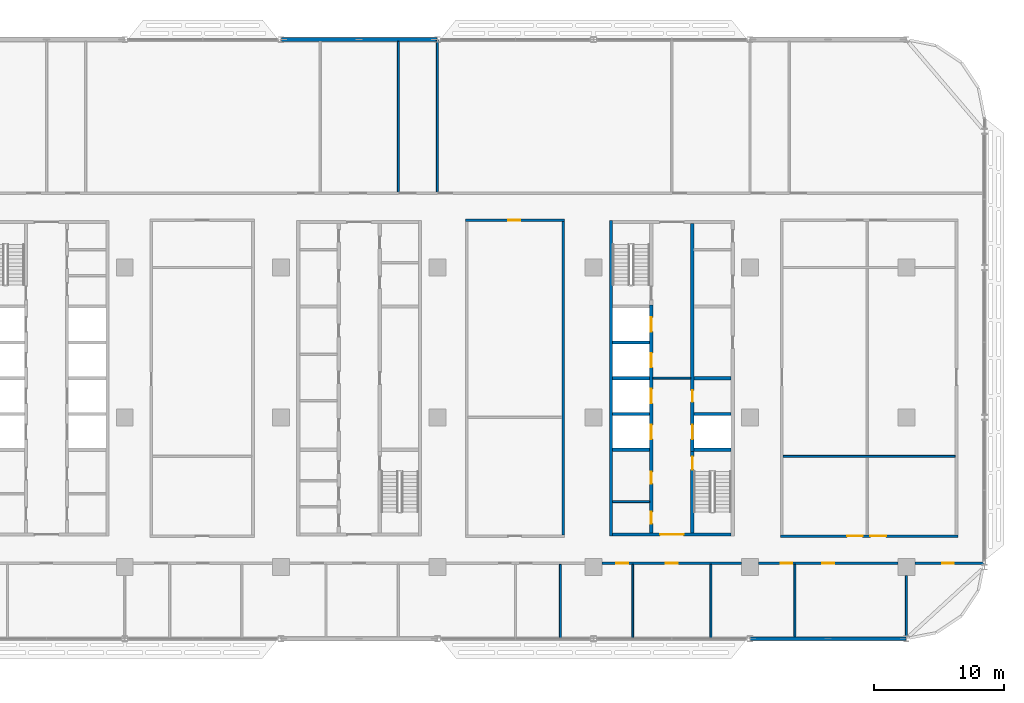
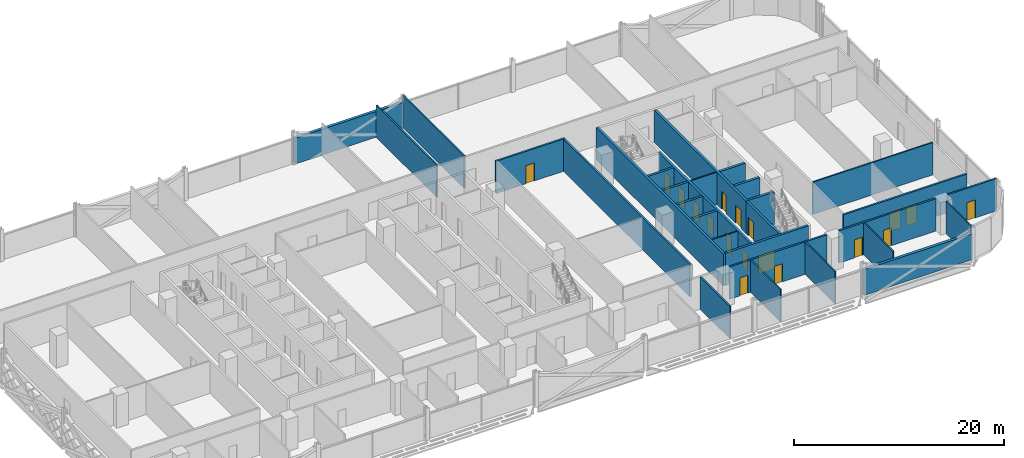
# One storey, part 17 of 29: 30 walls, 18 doors, 18 openings.
"""IFC4 building model written with IfcOpenShell, lengths in metres."""

from ifc_helpers import new_model, si_unit, direction, frame, frame_2d, origin, place, context, subcontext, project, spatial, rectangle, extrude, material, layer, layer_set, type_object, element, fill, save


model = new_model("IFC4")

# Units and contexts
model_context = context("Model", 3, precision=1e-05, world=origin(), true_north=direction((0.0, 1.0)))
body_context = subcontext(model_context, "Body", "Model", "MODEL_VIEW")
ifc_project = project(units=[si_unit("LENGTHUNIT", "METRE"), si_unit("AREAUNIT", "SQUARE_METRE"), si_unit("VOLUMEUNIT", "CUBIC_METRE"), si_unit("PLANEANGLEUNIT", "RADIAN"), si_unit("MASSUNIT", "GRAM", prefix="KILO")], contexts=[model_context])

# Site, building, storey
site_placement = place(None, origin())
site = spatial("IfcSite", under=ifc_project, at=site_placement, CompositionType="ELEMENT")
building_placement = place(site_placement, origin())
building = spatial("IfcBuilding", under=site, at=building_placement, Name="Mahtab Terrace Research Tower", CompositionType="ELEMENT")
storey_placement = place(building_placement, frame((0.0, 0.0, 146.60009765625)))
storey = spatial("IfcBuildingStorey", under=building, at=storey_placement, Name="L34", CompositionType="ELEMENT", Elevation=146.60009765625)

# Walls
ifc_material_1 = material(Name="Gypsum board partition")
ifc_layer_1 = layer(ifc_material_1, 0.14990234375)
ifc_layer_set_1 = layer_set([ifc_layer_1], Name="Core partition 150")
wall_type_1 = type_object("IfcWallType", Name="Core partition 150", PredefinedType="PARTITIONING", material=ifc_layer_set_1)
wall_1_placement = place(storey_placement, frame((22.550048828125, 3.0, 0.0), z_axis=(0.0, 0.0, 1.0), x_axis=(1.0, 0.0, 0.0)))
element("IfcWall", 1, at=wall_1_placement, inside=storey, type_object=wall_type_1, Name="Core wall C ffl", PredefinedType="PARTITIONING", context=body_context, shape_type="SweptSolid", body=[
    extrude(rectangle(XDim=2.89990234375, YDim=0.14990234375, at=frame_2d((1.449951171875, 0.0))), origin(), (0.0, 0.0, 1.0), 3.760009765625),
])
wall_2_placement = place(storey_placement, frame((19.449951171875, -6.47509765625, 0.0), z_axis=(0.0, 0.0, 1.0), x_axis=(1.0, 0.0, 0.0)))
element("IfcWall", 2, at=wall_2_placement, inside=storey, type_object=wall_type_1, Name="Core wall C pWS-948", PredefinedType="PARTITIONING", context=body_context, shape_type="SweptSolid", body=[
    extrude(rectangle(XDim=2.85009765625, YDim=0.14990234375, at=frame_2d((1.425048828125, 0.0))), origin(), (0.0, 0.0, 1.0), 3.760009765625),
])
ifc_material_2 = material(Name="Concrete C70/85", Category="concrete")
ifc_layer_2 = layer(ifc_material_2, 0.25)
ifc_layer_set_2 = layer_set([ifc_layer_2], Name="Core wall 250")
wall_type_2 = type_object("IfcWallType", Name="Core wall 250", PredefinedType="SOLIDWALL", material=ifc_layer_set_2)
wall_3_placement = place(storey_placement, frame((19.324951171875, 15.125, 0.0), z_axis=(0.0, 0.0, 1.0), x_axis=(0.0, -1.0, 0.0)))
element("IfcWall", 3, at=wall_3_placement, inside=storey, type_object=wall_type_2, Name="Core wall C outerW", PredefinedType="SOLIDWALL", context=body_context, shape_type="SweptSolid", body=[
    extrude(rectangle(XDim=24.25, YDim=0.25, at=frame_2d((12.125, 0.0))), origin(), (0.0, 0.0, 1.0), 3.760009765625),
])

# Wall, opening, door
wall_4_placement = place(storey_placement, frame((28.550048828125, -9.0, 0.0), z_axis=(0.0, 0.0, 1.0), x_axis=(-1.0, 0.0, 0.0)))
wall_4 = element("IfcWall", 4, at=wall_4_placement, inside=storey, type_object=wall_type_2, Name="Core wall C endS", PredefinedType="SOLIDWALL", context=body_context, shape_type="SweptSolid", body=[
    extrude(rectangle(XDim=9.10009765625, YDim=0.25, at=frame_2d((4.550048828125, 0.0))), origin(), (0.0, 0.0, 1.0), 3.760009765625),
])
opening_1_placement = place(wall_4_placement, frame((3.64990234375, 0.0, 0.0)))
opening_1 = element("IfcOpeningElement", 5, at=opening_1_placement, cuts=wall_4, Name="Opening C-S1", PredefinedType="OPENING", context=body_context, shape_type="SweptSolid", body=[
    extrude(rectangle(XDim=1.800048828125, YDim=2.10009765625, at=frame_2d((0.89990234375, 1.050048828125))), frame((0.0, 0.135009765625, 0.0), z_axis=(0.0, -1.0, 0.0), x_axis=(1.0, 0.0, 0.0)), (0.0, 0.0, 1.0), 0.27001953125),
])
ifc_material_3 = material(Name="Steel fire door", Category="steel")
door_type_1 = type_object("IfcDoorType", Name="Lobby double door 1800x2100 1 HR", OperationType="DOUBLE_DOOR_SINGLE_SWING", PredefinedType="DOOR", material=ifc_material_3)
door_1_placement = place(opening_1_placement, origin())
door_1 = element("IfcDoor", 6, at=door_1_placement, inside=storey, type_object=door_type_1, Name="Core entrance door C S", OperationType="DOUBLE_DOOR_SINGLE_SWING", OverallHeight=2.10009765625, OverallWidth=1.800048828125, PredefinedType="DOOR", context=body_context, shape_type="SweptSolid", body=[
    extrude(rectangle(XDim=1.800048828125, YDim=2.10009765625, at=frame_2d((0.89990234375, 1.050048828125))), frame((0.0, 0.02490234375, 0.0), z_axis=(0.0, -1.0, 0.0), x_axis=(1.0, 0.0, 0.0)), (0.0, 0.0, 1.0), 0.050048828125),
])
fill(opening_1, door_1)

# Wall, openings, doors
wall_5_placement = place(storey_placement, frame((22.425048828125, -8.875, 0.0), z_axis=(0.0, 0.0, 1.0), x_axis=(0.0, 1.0, 0.0)))
wall_5 = element("IfcWall", 7, at=wall_5_placement, inside=storey, type_object=wall_type_2, Name="Core wall C innerWSL", PredefinedType="SOLIDWALL", context=body_context, shape_type="SweptSolid", body=[
    extrude(rectangle(XDim=17.5, YDim=0.25, at=frame_2d((8.75, 0.0))), origin(), (0.0, 0.0, 1.0), 3.760009765625),
])
opening_2_placement = place(wall_5_placement, frame((7.199951171875, 0.0, 0.0)))
opening_2 = element("IfcOpeningElement", 8, at=opening_2_placement, cuts=wall_5, Name="Opening LD17-L34", PredefinedType="OPENING", context=body_context, shape_type="SweptSolid", body=[
    extrude(rectangle(XDim=1.10009765625, YDim=2.10009765625, at=frame_2d((0.550048828125, 1.050048828125))), frame((0.0, 0.135009765625, 0.0), z_axis=(0.0, -1.0, 0.0), x_axis=(1.0, 0.0, 0.0)), (0.0, 0.0, 1.0), 0.27001953125),
])
opening_3_placement = place(wall_5_placement, frame((9.949951171875, 0.0, 0.0)))
opening_3 = element("IfcOpeningElement", 9, at=opening_3_placement, cuts=wall_5, Name="Opening LD18-L34", PredefinedType="OPENING", context=body_context, shape_type="SweptSolid", body=[
    extrude(rectangle(XDim=1.10009765625, YDim=2.10009765625, at=frame_2d((0.550048828125, 1.050048828125))), frame((0.0, 0.135009765625, 0.0), z_axis=(0.0, -1.0, 0.0), x_axis=(1.0, 0.0, 0.0)), (0.0, 0.0, 1.0), 0.27001953125),
])
opening_4_placement = place(wall_5_placement, frame((12.699951171875, 0.0, 0.0)))
opening_4 = element("IfcOpeningElement", 10, at=opening_4_placement, cuts=wall_5, Name="Opening LD19-L34", PredefinedType="OPENING", context=body_context, shape_type="SweptSolid", body=[
    extrude(rectangle(XDim=1.10009765625, YDim=2.10009765625, at=frame_2d((0.550048828125, 1.050048828125))), frame((0.0, 0.135009765625, 0.0), z_axis=(0.0, -1.0, 0.0), x_axis=(1.0, 0.0, 0.0)), (0.0, 0.0, 1.0), 0.27001953125),
])
opening_5_placement = place(wall_5_placement, frame((15.449951171875, 0.0, 0.0)))
opening_5 = element("IfcOpeningElement", 11, at=opening_5_placement, cuts=wall_5, Name="Opening LD20-L34", PredefinedType="OPENING", context=body_context, shape_type="SweptSolid", body=[
    extrude(rectangle(XDim=1.10009765625, YDim=2.10009765625, at=frame_2d((0.550048828125, 1.050048828125))), frame((0.0, 0.135009765625, 0.0), z_axis=(0.0, -1.0, 0.0), x_axis=(1.0, 0.0, 0.0)), (0.0, 0.0, 1.0), 0.27001953125),
])
opening_6_placement = place(wall_5_placement, frame((0.71240234375, 0.0, 0.0)))
opening_6 = element("IfcOpeningElement", 12, at=opening_6_placement, cuts=wall_5, Name="Opening C-R3", PredefinedType="OPENING", context=body_context, shape_type="SweptSolid", body=[
    extrude(rectangle(XDim=0.89990234375, YDim=2.10009765625, at=frame_2d((0.449951171875, 1.050048828125))), frame((0.0, 0.135009765625, 0.0), z_axis=(0.0, -1.0, 0.0), x_axis=(1.0, 0.0, 0.0)), (0.0, 0.0, 1.0), 0.27001953125),
])
opening_7_placement = place(wall_5_placement, frame((3.78759765625, 0.0, 0.0)))
opening_7 = element("IfcOpeningElement", 13, at=opening_7_placement, cuts=wall_5, Name="Opening C-R4", PredefinedType="OPENING", context=body_context, shape_type="SweptSolid", body=[
    extrude(rectangle(XDim=0.89990234375, YDim=2.10009765625, at=frame_2d((0.449951171875, 1.050048828125))), frame((0.0, 0.135009765625, 0.0), z_axis=(0.0, -1.0, 0.0), x_axis=(1.0, 0.0, 0.0)), (0.0, 0.0, 1.0), 0.27001953125),
])
ifc_material_4 = material(Name="Stainless steel AISI 304", Category="steel")
door_type_2 = type_object("IfcDoorType", Name="Landing door 1100x2100", OperationType="DOUBLE_DOOR_SLIDING", PredefinedType="DOOR", material=ifc_material_4)
door_2_placement = place(opening_2_placement, origin())
door_2 = element("IfcDoor", 14, at=door_2_placement, inside=storey, type_object=door_type_2, Name="Landing door SV1 L34", OperationType="DOUBLE_DOOR_SLIDING", OverallHeight=2.10009765625, OverallWidth=1.10009765625, PredefinedType="DOOR", context=body_context, shape_type="SweptSolid", body=[
    extrude(rectangle(XDim=1.10009765625, YDim=2.10009765625, at=frame_2d((0.550048828125, 1.050048828125))), frame((0.0, 0.02490234375, 0.0), z_axis=(0.0, -1.0, 0.0), x_axis=(1.0, 0.0, 0.0)), (0.0, 0.0, 1.0), 0.050048828125),
])
fill(opening_2, door_2)
door_3_placement = place(opening_3_placement, origin())
door_3 = element("IfcDoor", 15, at=door_3_placement, inside=storey, type_object=door_type_2, Name="Landing door SV2 L34", OperationType="DOUBLE_DOOR_SLIDING", OverallHeight=2.10009765625, OverallWidth=1.10009765625, PredefinedType="DOOR", context=body_context, shape_type="SweptSolid", body=[
    extrude(rectangle(XDim=1.10009765625, YDim=2.10009765625, at=frame_2d((0.550048828125, 1.050048828125))), frame((0.0, 0.02490234375, 0.0), z_axis=(0.0, -1.0, 0.0), x_axis=(1.0, 0.0, 0.0)), (0.0, 0.0, 1.0), 0.050048828125),
])
fill(opening_3, door_3)
door_4_placement = place(opening_4_placement, origin())
door_4 = element("IfcDoor", 16, at=door_4_placement, inside=storey, type_object=door_type_2, Name="Landing door FF1 L34", OperationType="DOUBLE_DOOR_SLIDING", OverallHeight=2.10009765625, OverallWidth=1.10009765625, PredefinedType="DOOR", context=body_context, shape_type="SweptSolid", body=[
    extrude(rectangle(XDim=1.10009765625, YDim=2.10009765625, at=frame_2d((0.550048828125, 1.050048828125))), frame((0.0, 0.02490234375, 0.0), z_axis=(0.0, -1.0, 0.0), x_axis=(1.0, 0.0, 0.0)), (0.0, 0.0, 1.0), 0.050048828125),
])
fill(opening_4, door_4)
door_5_placement = place(opening_5_placement, origin())
door_5 = element("IfcDoor", 17, at=door_5_placement, inside=storey, type_object=door_type_2, Name="Landing door FF2 L34", OperationType="DOUBLE_DOOR_SLIDING", OverallHeight=2.10009765625, OverallWidth=1.10009765625, PredefinedType="DOOR", context=body_context, shape_type="SweptSolid", body=[
    extrude(rectangle(XDim=1.10009765625, YDim=2.10009765625, at=frame_2d((0.550048828125, 1.050048828125))), frame((0.0, 0.02490234375, 0.0), z_axis=(0.0, -1.0, 0.0), x_axis=(1.0, 0.0, 0.0)), (0.0, 0.0, 1.0), 0.050048828125),
])
fill(opening_5, door_5)
door_type_3 = type_object("IfcDoorType", Name="Room door 900x2100 1 HR", OperationType="NOTDEFINED", PredefinedType="DOOR", material=ifc_material_3)
door_6_placement = place(opening_6_placement, origin())
door_6 = element("IfcDoor", 18, at=door_6_placement, inside=storey, type_object=door_type_3, Name="Accessible WC door", OperationType="SINGLE_SWING_LEFT", OverallHeight=2.10009765625, OverallWidth=0.89990234375, PredefinedType="DOOR", context=body_context, shape_type="SweptSolid", body=[
    extrude(rectangle(XDim=0.89990234375, YDim=2.10009765625, at=frame_2d((0.449951171875, 1.050048828125))), frame((0.0, 0.02490234375, 0.0), z_axis=(0.0, -1.0, 0.0), x_axis=(1.0, 0.0, 0.0)), (0.0, 0.0, 1.0), 0.050048828125),
])
fill(opening_6, door_6)
door_7_placement = place(opening_7_placement, origin())
door_7 = element("IfcDoor", 19, at=door_7_placement, inside=storey, type_object=door_type_3, Name="WC block door", OperationType="SINGLE_SWING_RIGHT", OverallHeight=2.10009765625, OverallWidth=0.89990234375, PredefinedType="DOOR", context=body_context, shape_type="SweptSolid", body=[
    extrude(rectangle(XDim=0.89990234375, YDim=2.10009765625, at=frame_2d((0.449951171875, 1.050048828125))), frame((0.0, 0.02490234375, 0.0), z_axis=(0.0, -1.0, 0.0), x_axis=(1.0, 0.0, 0.0)), (0.0, 0.0, 1.0), 0.050048828125),
])
fill(opening_7, door_7)

# Wall, opening, door
wall_6_placement = place(storey_placement, frame((25.574951171875, -8.875, 0.0), z_axis=(0.0, 0.0, 1.0), x_axis=(0.0, 1.0, 0.0)))
wall_6 = element("IfcWall", 20, at=wall_6_placement, inside=storey, type_object=wall_type_2, Name="Core wall C innerES", PredefinedType="SOLIDWALL", context=body_context, shape_type="SweptSolid", body=[
    extrude(rectangle(XDim=6.25, YDim=0.25, at=frame_2d((3.125, 0.0))), origin(), (0.0, 0.0, 1.0), 3.760009765625),
])
opening_8_placement = place(wall_6_placement, frame((4.85009765625, 0.0, 0.0)))
opening_8 = element("IfcOpeningElement", 21, at=opening_8_placement, cuts=wall_6, Name="Opening C-ST4", PredefinedType="OPENING", context=body_context, shape_type="SweptSolid", body=[
    extrude(rectangle(XDim=1.0, YDim=2.10009765625, at=frame_2d((0.5, 1.050048828125))), frame((0.0, 0.135009765625, 0.0), z_axis=(0.0, -1.0, 0.0), x_axis=(1.0, 0.0, 0.0)), (0.0, 0.0, 1.0), 0.27001953125),
])
door_type_4 = type_object("IfcDoorType", Name="Stair door 1000x2100 1.5 HR", OperationType="NOTDEFINED", PredefinedType="DOOR", material=ifc_material_3)
door_8_placement = place(opening_8_placement, origin())
door_8 = element("IfcDoor", 22, at=door_8_placement, inside=storey, type_object=door_type_4, Name="Stair door ST4 L34", OperationType="SINGLE_SWING_RIGHT", OverallHeight=2.10009765625, OverallWidth=1.0, PredefinedType="DOOR", context=body_context, shape_type="SweptSolid", body=[
    extrude(rectangle(XDim=1.0, YDim=2.10009765625, at=frame_2d((0.5, 1.050048828125))), frame((0.0, 0.02490234375, 0.0), z_axis=(0.0, -1.0, 0.0), x_axis=(1.0, 0.0, 0.0)), (0.0, 0.0, 1.0), 0.050048828125),
])
fill(opening_8, door_8)

# Wall, openings, doors
wall_7_placement = place(storey_placement, frame((25.574951171875, 14.875, 0.0), z_axis=(0.0, 0.0, 1.0), x_axis=(0.0, -1.0, 0.0)))
wall_7 = element("IfcWall", 23, at=wall_7_placement, inside=storey, type_object=wall_type_2, Name="Core wall C innerELN", PredefinedType="SOLIDWALL", context=body_context, shape_type="SweptSolid", body=[
    extrude(rectangle(XDim=17.5, YDim=0.25, at=frame_2d((8.75, 0.0))), origin(), (0.0, 0.0, 1.0), 3.760009765625),
])
opening_9_placement = place(wall_7_placement, frame((15.449951171875, 0.0, 0.0)))
opening_9 = element("IfcOpeningElement", 24, at=opening_9_placement, cuts=wall_7, Name="Opening LD21-L34", PredefinedType="OPENING", context=body_context, shape_type="SweptSolid", body=[
    extrude(rectangle(XDim=1.10009765625, YDim=2.10009765625, at=frame_2d((0.550048828125, 1.050048828125))), frame((0.0, 0.135009765625, 0.0), z_axis=(0.0, -1.0, 0.0), x_axis=(1.0, 0.0, 0.0)), (0.0, 0.0, 1.0), 0.27001953125),
])
opening_10_placement = place(wall_7_placement, frame((12.800048828125, 0.0, 0.0)))
opening_10 = element("IfcOpeningElement", 25, at=opening_10_placement, cuts=wall_7, Name="Opening C-R1", PredefinedType="OPENING", context=body_context, shape_type="SweptSolid", body=[
    extrude(rectangle(XDim=0.89990234375, YDim=2.10009765625, at=frame_2d((0.449951171875, 1.050048828125))), frame((0.0, 0.135009765625, 0.0), z_axis=(0.0, -1.0, 0.0), x_axis=(1.0, 0.0, 0.0)), (0.0, 0.0, 1.0), 0.27001953125),
])
door_9_placement = place(opening_9_placement, origin())
door_9 = element("IfcDoor", 26, at=door_9_placement, inside=storey, type_object=door_type_2, Name="Landing door SV3 L34", OperationType="DOUBLE_DOOR_SLIDING", OverallHeight=2.10009765625, OverallWidth=1.10009765625, PredefinedType="DOOR", context=body_context, shape_type="SweptSolid", body=[
    extrude(rectangle(XDim=1.10009765625, YDim=2.10009765625, at=frame_2d((0.550048828125, 1.050048828125))), frame((0.0, 0.02490234375, 0.0), z_axis=(0.0, -1.0, 0.0), x_axis=(1.0, 0.0, 0.0)), (0.0, 0.0, 1.0), 0.050048828125),
])
fill(opening_9, door_9)
door_10_placement = place(opening_10_placement, origin())
door_10 = element("IfcDoor", 27, at=door_10_placement, inside=storey, type_object=door_type_3, Name="Plant room door", OperationType="SINGLE_SWING_LEFT", OverallHeight=2.10009765625, OverallWidth=0.89990234375, PredefinedType="DOOR", context=body_context, shape_type="SweptSolid", body=[
    extrude(rectangle(XDim=0.89990234375, YDim=2.10009765625, at=frame_2d((0.449951171875, 1.050048828125))), frame((0.0, 0.02490234375, 0.0), z_axis=(0.0, -1.0, 0.0), x_axis=(1.0, 0.0, 0.0)), (0.0, 0.0, 1.0), 0.050048828125),
])
fill(opening_10, door_10)

# Walls
for number, where, z_axis, x_axis, name in (
    (28, (19.449951171875, -2.5, 0.0), (0.0, 0.0, 1.0), (1.0, 0.0, 0.0), "Core wall C divW0"),
    (29, (19.449951171875, 0.25, 0.0), (0.0, 0.0, 1.0), (1.0, 0.0, 0.0), "Core wall C divW1"),
    (30, (19.449951171875, 3.0, 0.0), (0.0, 0.0, 1.0), (1.0, 0.0, 0.0), "Core wall C divW2"),
    (31, (19.449951171875, 5.75, 0.0), (0.0, 0.0, 1.0), (1.0, 0.0, 0.0), "Core wall C divW3"),
    (32, (25.699951171875, -2.5, 0.0), (0.0, 0.0, 1.0), (1.0, 0.0, 0.0), "Core wall C divE0"),
    (33, (25.699951171875, 0.25, 0.0), (0.0, 0.0, 1.0), (1.0, 0.0, 0.0), "Core wall C divE1"),
    (34, (25.699951171875, 3.0, 0.0), (0.0, 0.0, 1.0), (1.0, 0.0, 0.0), "Core wall C divE2"),
):
    element("IfcWall", number, at=place(storey_placement, frame(where, z_axis=z_axis, x_axis=x_axis)), inside=storey, type_object=wall_type_2, Name=name, PredefinedType="SOLIDWALL", context=body_context, shape_type="SweptSolid", body=[
        extrude(rectangle(XDim=2.85009765625, YDim=0.25, at=frame_2d((1.425048828125, 0.0))), origin(), (0.0, 0.0, 1.0), 3.760009765625),
    ])
ifc_material_5 = material(Name="Black aluminium cladding panel", Category="aluminium")
ifc_layer_3 = layer(ifc_material_5, 0.300048828125)
ifc_layer_set_3 = layer_set([ifc_layer_3], Name="Opaque facade wall 300")
wall_type_3 = type_object("IfcWallType", Name="Opaque facade wall 300", PredefinedType="NOTDEFINED", material=ifc_layer_set_3)
for number, where, z_axis, x_axis, name in (
    (35, (5.982177734375, 29.0, 0.0), (0.0, 0.0, 1.0), (-1.0, 0.0, 0.0), "Opaque facade wall L34 N6"),
    (36, (30.017822265625, -17.0, 0.0), (0.0, 0.0, 1.0), (1.0, 0.0, 0.0), "Opaque facade wall L34 S30"),
):
    element("IfcWall", number, at=place(storey_placement, frame(where, z_axis=z_axis, x_axis=x_axis)), inside=storey, type_object=wall_type_3, Name=name, PredefinedType="NOTDEFINED", context=body_context, shape_type="SweptSolid", body=[
        extrude(rectangle(XDim=11.96435546875, YDim=0.300048828125, at=frame_2d((5.982177734375, 0.0))), origin(), (0.0, 0.0, 1.0), 3.0029296875),
    ])

# Wall, openings, doors
ifc_material_6 = material(Name="Gypsum board corridor wall on steel studs", Category="steel")
ifc_layer_4 = layer(ifc_material_6, 0.199951171875)
ifc_layer_set_4 = layer_set([ifc_layer_4], Name="WALL CORRIDOR 200")
wall_type_4 = type_object("IfcWallType", Name="WALL CORRIDOR 200", PredefinedType="PARTITIONING", material=ifc_layer_set_4)
wall_8_placement = place(storey_placement, frame((18.64990234375, -11.199951171875, 0.0), z_axis=(0.0, 0.0, 1.0), x_axis=(1.0, 0.0, 0.0)))
wall_8 = element("IfcWall", 37, at=wall_8_placement, inside=storey, type_object=wall_type_4, Name="L34-W007", PredefinedType="PARTITIONING", context=body_context, shape_type="SweptSolid", body=[
    extrude(rectangle(XDim=10.7001953125, YDim=0.199951171875, at=frame_2d((5.35009765625, 0.0))), origin(), (0.0, 0.0, 1.0), 3.760009765625),
])
opening_11_placement = place(wall_8_placement, frame((1.10009765625, 0.0, 0.0)))
opening_11 = element("IfcOpeningElement", 38, at=opening_11_placement, cuts=wall_8, Name="Opening L34-111", PredefinedType="OPENING", context=body_context, shape_type="SweptSolid", body=[
    extrude(rectangle(XDim=0.89990234375, YDim=2.10009765625, at=frame_2d((0.449951171875, 1.050048828125))), frame((0.0, 0.10986328125, 0.0), z_axis=(0.0, -1.0, 0.0), x_axis=(1.0, 0.0, 0.0)), (0.0, 0.0, 1.0), 0.219970703125),
])
opening_12_placement = place(wall_8_placement, frame((4.89990234375, 0.0, 0.0)))
opening_12 = element("IfcOpeningElement", 39, at=opening_12_placement, cuts=wall_8, Name="Opening L34-112", PredefinedType="OPENING", context=body_context, shape_type="SweptSolid", body=[
    extrude(rectangle(XDim=0.89990234375, YDim=2.10009765625, at=frame_2d((0.449951171875, 1.050048828125))), frame((0.0, 0.10986328125, 0.0), z_axis=(0.0, -1.0, 0.0), x_axis=(1.0, 0.0, 0.0)), (0.0, 0.0, 1.0), 0.219970703125),
])
ifc_material_7 = material(Name="Timber door leaf in steel frame", Category="steel")
door_type_5 = type_object("IfcDoorType", Name="DOOR 0900X2100 FD30S", OperationType="SINGLE_SWING_LEFT", PredefinedType="DOOR", material=ifc_material_7)
door_11_placement = place(opening_11_placement, origin())
door_11 = element("IfcDoor", 40, at=door_11_placement, inside=storey, type_object=door_type_5, Name="Door L34-111", OperationType="SINGLE_SWING_RIGHT", OverallHeight=2.10009765625, OverallWidth=0.89990234375, PredefinedType="DOOR", context=body_context, shape_type="SweptSolid", body=[
    extrude(rectangle(XDim=0.89990234375, YDim=2.10009765625, at=frame_2d((0.449951171875, 1.050048828125))), frame((0.0, 0.02490234375, 0.0), z_axis=(0.0, -1.0, 0.0), x_axis=(1.0, 0.0, 0.0)), (0.0, 0.0, 1.0), 0.050048828125),
])
fill(opening_11, door_11)
door_12_placement = place(opening_12_placement, origin())
door_12 = element("IfcDoor", 41, at=door_12_placement, inside=storey, type_object=door_type_5, Name="Door L34-112", OperationType="SINGLE_SWING_RIGHT", OverallHeight=2.10009765625, OverallWidth=0.89990234375, PredefinedType="DOOR", context=body_context, shape_type="SweptSolid", body=[
    extrude(rectangle(XDim=0.89990234375, YDim=2.10009765625, at=frame_2d((0.449951171875, 1.050048828125))), frame((0.0, 0.02490234375, 0.0), z_axis=(0.0, -1.0, 0.0), x_axis=(1.0, 0.0, 0.0)), (0.0, 0.0, 1.0), 0.050048828125),
])
fill(opening_12, door_12)

wall_9_placement = place(storey_placement, frame((30.64990234375, -11.199951171875, 0.0), z_axis=(0.0, 0.0, 1.0), x_axis=(1.0, 0.0, 0.0)))
wall_9 = element("IfcWall", 42, at=wall_9_placement, inside=storey, type_object=wall_type_4, Name="L34-W008", PredefinedType="PARTITIONING", context=body_context, shape_type="SweptSolid", body=[
    extrude(rectangle(XDim=10.7001953125, YDim=0.199951171875, at=frame_2d((5.35009765625, 0.0))), origin(), (0.0, 0.0, 1.0), 3.760009765625),
])
opening_13_placement = place(wall_9_placement, frame((1.699951171875, 0.0, 0.0)))
opening_13 = element("IfcOpeningElement", 43, at=opening_13_placement, cuts=wall_9, Name="Opening L34-113", PredefinedType="OPENING", context=body_context, shape_type="SweptSolid", body=[
    extrude(rectangle(XDim=0.89990234375, YDim=2.10009765625, at=frame_2d((0.449951171875, 1.050048828125))), frame((0.0, 0.10986328125, 0.0), z_axis=(0.0, -1.0, 0.0), x_axis=(1.0, 0.0, 0.0)), (0.0, 0.0, 1.0), 0.219970703125),
])
opening_14_placement = place(wall_9_placement, frame((4.89990234375, 0.0, 0.0)))
opening_14 = element("IfcOpeningElement", 44, at=opening_14_placement, cuts=wall_9, Name="Opening L34-114", PredefinedType="OPENING", context=body_context, shape_type="SweptSolid", body=[
    extrude(rectangle(XDim=0.89990234375, YDim=2.10009765625, at=frame_2d((0.449951171875, 1.050048828125))), frame((0.0, 0.10986328125, 0.0), z_axis=(0.0, -1.0, 0.0), x_axis=(1.0, 0.0, 0.0)), (0.0, 0.0, 1.0), 0.219970703125),
])
door_13_placement = place(opening_13_placement, origin())
door_13 = element("IfcDoor", 45, at=door_13_placement, inside=storey, type_object=door_type_5, Name="Door L34-113", OperationType="SINGLE_SWING_RIGHT", OverallHeight=2.10009765625, OverallWidth=0.89990234375, PredefinedType="DOOR", context=body_context, shape_type="SweptSolid", body=[
    extrude(rectangle(XDim=0.89990234375, YDim=2.10009765625, at=frame_2d((0.449951171875, 1.050048828125))), frame((0.0, 0.02490234375, 0.0), z_axis=(0.0, -1.0, 0.0), x_axis=(1.0, 0.0, 0.0)), (0.0, 0.0, 1.0), 0.050048828125),
])
fill(opening_13, door_13)
door_14_placement = place(opening_14_placement, origin())
door_14 = element("IfcDoor", 46, at=door_14_placement, inside=storey, type_object=door_type_5, Name="Door L34-114", OperationType="SINGLE_SWING_RIGHT", OverallHeight=2.10009765625, OverallWidth=0.89990234375, PredefinedType="DOOR", context=body_context, shape_type="SweptSolid", body=[
    extrude(rectangle(XDim=0.89990234375, YDim=2.10009765625, at=frame_2d((0.449951171875, 1.050048828125))), frame((0.0, 0.02490234375, 0.0), z_axis=(0.0, -1.0, 0.0), x_axis=(1.0, 0.0, 0.0)), (0.0, 0.0, 1.0), 0.050048828125),
])
fill(opening_14, door_14)

# Wall, opening, door
wall_10_placement = place(storey_placement, frame((42.64990234375, -11.199951171875, 0.0), z_axis=(0.0, 0.0, 1.0), x_axis=(1.0, 0.0, 0.0)))
wall_10 = element("IfcWall", 47, at=wall_10_placement, inside=storey, type_object=wall_type_4, Name="L34-W009", PredefinedType="PARTITIONING", context=body_context, shape_type="SweptSolid", body=[
    extrude(rectangle(XDim=5.3251953125, YDim=0.199951171875, at=frame_2d((2.66259765625, 0.0))), origin(), (0.0, 0.0, 1.0), 3.760009765625),
])
opening_15_placement = place(wall_10_placement, frame((2.10009765625, 0.0, 0.0)))
opening_15 = element("IfcOpeningElement", 48, at=opening_15_placement, cuts=wall_10, Name="Opening L34-115", PredefinedType="OPENING", context=body_context, shape_type="SweptSolid", body=[
    extrude(rectangle(XDim=0.89990234375, YDim=2.10009765625, at=frame_2d((0.449951171875, 1.050048828125))), frame((0.0, 0.10986328125, 0.0), z_axis=(0.0, -1.0, 0.0), x_axis=(1.0, 0.0, 0.0)), (0.0, 0.0, 1.0), 0.219970703125),
])
door_15_placement = place(opening_15_placement, origin())
door_15 = element("IfcDoor", 49, at=door_15_placement, inside=storey, type_object=door_type_5, Name="Door L34-115", OperationType="SINGLE_SWING_RIGHT", OverallHeight=2.10009765625, OverallWidth=0.89990234375, PredefinedType="DOOR", context=body_context, shape_type="SweptSolid", body=[
    extrude(rectangle(XDim=0.89990234375, YDim=2.10009765625, at=frame_2d((0.449951171875, 1.050048828125))), frame((0.0, 0.02490234375, 0.0), z_axis=(0.0, -1.0, 0.0), x_axis=(1.0, 0.0, 0.0)), (0.0, 0.0, 1.0), 0.050048828125),
])
fill(opening_15, door_15)

# Wall, openings, doors
wall_11_placement = place(storey_placement, frame((32.35009765625, -9.125, 0.0), z_axis=(0.0, 0.0, 1.0), x_axis=(1.0, 0.0, 0.0)))
wall_11 = element("IfcWall", 50, at=wall_11_placement, inside=storey, type_object=wall_type_4, Name="L34-W013", PredefinedType="PARTITIONING", context=body_context, shape_type="SweptSolid", body=[
    extrude(rectangle(XDim=13.599853515625, YDim=0.199951171875, at=frame_2d((6.7998046875, 0.0))), origin(), (0.0, 0.0, 1.0), 3.760009765625),
])
opening_16_placement = place(wall_11_placement, frame((5.10009765625, 0.0, 0.0)))
opening_16 = element("IfcOpeningElement", 51, at=opening_16_placement, cuts=wall_11, Name="Opening L34-117", PredefinedType="OPENING", context=body_context, shape_type="SweptSolid", body=[
    extrude(rectangle(XDim=1.199951171875, YDim=2.10009765625, at=frame_2d((0.60009765625, 1.050048828125))), frame((0.0, 0.10986328125, 0.0), z_axis=(0.0, -1.0, 0.0), x_axis=(1.0, 0.0, 0.0)), (0.0, 0.0, 1.0), 0.219970703125),
])
opening_17_placement = place(wall_11_placement, frame((6.89990234375, 0.0, 0.0)))
opening_17 = element("IfcOpeningElement", 52, at=opening_17_placement, cuts=wall_11, Name="Opening L34-118", PredefinedType="OPENING", context=body_context, shape_type="SweptSolid", body=[
    extrude(rectangle(XDim=1.199951171875, YDim=2.10009765625, at=frame_2d((0.60009765625, 1.050048828125))), frame((0.0, 0.10986328125, 0.0), z_axis=(0.0, -1.0, 0.0), x_axis=(1.0, 0.0, 0.0)), (0.0, 0.0, 1.0), 0.219970703125),
])
door_type_6 = type_object("IfcDoorType", Name="DOOR 1200X2100 FD30S", OperationType="SINGLE_SWING_LEFT", PredefinedType="DOOR", material=ifc_material_7)
door_16_placement = place(opening_16_placement, origin())
door_16 = element("IfcDoor", 53, at=door_16_placement, inside=storey, type_object=door_type_6, Name="Door L34-117", OperationType="SINGLE_SWING_LEFT", OverallHeight=2.10009765625, OverallWidth=1.199951171875, PredefinedType="DOOR", context=body_context, shape_type="SweptSolid", body=[
    extrude(rectangle(XDim=1.199951171875, YDim=2.10009765625, at=frame_2d((0.60009765625, 1.050048828125))), frame((0.0, 0.02490234375, 0.0), z_axis=(0.0, -1.0, 0.0), x_axis=(1.0, 0.0, 0.0)), (0.0, 0.0, 1.0), 0.050048828125),
])
fill(opening_16, door_16)
door_17_placement = place(opening_17_placement, origin())
door_17 = element("IfcDoor", 54, at=door_17_placement, inside=storey, type_object=door_type_6, Name="Door L34-118", OperationType="SINGLE_SWING_RIGHT", OverallHeight=2.10009765625, OverallWidth=1.199951171875, PredefinedType="DOOR", context=body_context, shape_type="SweptSolid", body=[
    extrude(rectangle(XDim=1.199951171875, YDim=2.10009765625, at=frame_2d((0.60009765625, 1.050048828125))), frame((0.0, 0.02490234375, 0.0), z_axis=(0.0, -1.0, 0.0), x_axis=(1.0, 0.0, 0.0)), (0.0, 0.0, 1.0), 0.050048828125),
])
fill(opening_17, door_17)

# Wall, opening, door
wall_12_placement = place(storey_placement, frame((8.14990234375, 15.125, 0.0), z_axis=(0.0, 0.0, 1.0), x_axis=(1.0, 0.0, 0.0)))
wall_12 = element("IfcWall", 55, at=wall_12_placement, inside=storey, type_object=wall_type_4, Name="L34-W024", PredefinedType="PARTITIONING", context=body_context, shape_type="SweptSolid", body=[
    extrude(rectangle(XDim=7.60009765625, YDim=0.199951171875, at=frame_2d((3.800048828125, 0.0))), origin(), (0.0, 0.0, 1.0), 3.760009765625),
])
opening_18_placement = place(wall_12_placement, frame((3.300048828125, 0.0, 0.0)))
opening_18 = element("IfcOpeningElement", 56, at=opening_18_placement, cuts=wall_12, Name="Opening L34-127", PredefinedType="OPENING", context=body_context, shape_type="SweptSolid", body=[
    extrude(rectangle(XDim=0.89990234375, YDim=2.10009765625, at=frame_2d((0.449951171875, 1.050048828125))), frame((0.0, 0.10986328125, 0.0), z_axis=(0.0, -1.0, 0.0), x_axis=(1.0, 0.0, 0.0)), (0.0, 0.0, 1.0), 0.219970703125),
])
door_18_placement = place(opening_18_placement, origin())
door_18 = element("IfcDoor", 57, at=door_18_placement, inside=storey, type_object=door_type_5, Name="Door L34-127", OperationType="SINGLE_SWING_RIGHT", OverallHeight=2.10009765625, OverallWidth=0.89990234375, PredefinedType="DOOR", context=body_context, shape_type="SweptSolid", body=[
    extrude(rectangle(XDim=0.89990234375, YDim=2.10009765625, at=frame_2d((0.449951171875, 1.050048828125))), frame((0.0, 0.02490234375, 0.0), z_axis=(0.0, -1.0, 0.0), x_axis=(1.0, 0.0, 0.0)), (0.0, 0.0, 1.0), 0.050048828125),
])
fill(opening_18, door_18)

# Walls
wall_13_placement = place(storey_placement, frame((15.64990234375, -9.02490234375, 0.0), z_axis=(0.0, 0.0, 1.0), x_axis=(0.0, 1.0, 0.0)))
element("IfcWall", 58, at=wall_13_placement, inside=storey, type_object=wall_type_4, Name="L34-W049", PredefinedType="PARTITIONING", context=body_context, shape_type="SweptSolid", body=[
    extrude(rectangle(XDim=24.0498046875, YDim=0.199951171875, at=frame_2d((12.02490234375, 0.0))), origin(), (0.0, 0.0, 1.0), 3.760009765625),
])
ifc_material_8 = material(Name="Gypsum board partition on steel studs", Category="steel")
ifc_layer_5 = layer(ifc_material_8, 0.14990234375)
ifc_layer_set_5 = layer_set([ifc_layer_5], Name="WALL PARTITION 150")
wall_type_5 = type_object("IfcWallType", Name="WALL PARTITION 150", PredefinedType="PARTITIONING", material=ifc_layer_set_5)
wall_14_placement = place(storey_placement, frame((32.550048828125, -3.0, 0.0), z_axis=(0.0, 0.0, 1.0), x_axis=(1.0, 0.0, 0.0)))
element("IfcWall", 59, at=wall_14_placement, inside=storey, type_object=wall_type_5, Name="L34-W015", PredefinedType="PARTITIONING", context=body_context, shape_type="SweptSolid", body=[
    extrude(rectangle(XDim=13.199951171875, YDim=0.14990234375, at=frame_2d((6.60009765625, 0.0))), origin(), (0.0, 0.0, 1.0), 3.760009765625),
])
wall_15_placement = place(storey_placement, frame((3.0, 17.300048828125, 0.0), z_axis=(0.0, 0.0, 1.0), x_axis=(0.0, 1.0, 0.0)))
element("IfcWall", 60, at=wall_15_placement, inside=storey, type_object=wall_type_5, Name="L34-W044", PredefinedType="PARTITIONING", context=body_context, shape_type="SweptSolid", body=[
    extrude(rectangle(XDim=11.550048828125, YDim=0.14990234375, at=frame_2d((5.77490234375, 0.0))), origin(), (0.0, 0.0, 1.0), 3.760009765625),
])
wall_16_placement = place(storey_placement, frame((6.0, 17.300048828125, 0.0), z_axis=(0.0, 0.0, 1.0), x_axis=(0.0, 1.0, 0.0)))
element("IfcWall", 61, at=wall_16_placement, inside=storey, type_object=wall_type_5, Name="L34-W045", PredefinedType="PARTITIONING", context=body_context, shape_type="SweptSolid", body=[
    extrude(rectangle(XDim=11.675048828125, YDim=0.14990234375, at=frame_2d((5.83740234375, 0.0))), origin(), (0.0, 0.0, 1.0), 3.760009765625),
])
for number, where, z_axis, x_axis, name in (
    (62, (15.449951171875, -16.97509765625, 0.0), (0.0, 0.0, 1.0), (0.0, 1.0, 0.0), "L34-W048"),
    (63, (21.0, -16.97509765625, 0.0), (0.0, 0.0, 1.0), (0.0, 1.0, 0.0), "L34-W050"),
    (64, (27.0, -16.97509765625, 0.0), (0.0, 0.0, 1.0), (0.0, 1.0, 0.0), "L34-W052"),
):
    element("IfcWall", number, at=place(storey_placement, frame(where, z_axis=z_axis, x_axis=x_axis)), inside=storey, type_object=wall_type_5, Name=name, PredefinedType="PARTITIONING", context=body_context, shape_type="SweptSolid", body=[
        extrude(rectangle(XDim=5.675048828125, YDim=0.14990234375, at=frame_2d((2.83740234375, 0.0))), origin(), (0.0, 0.0, 1.0), 3.760009765625),
    ])
wall_17_placement = place(storey_placement, frame((33.449951171875, -16.85009765625, 0.0), z_axis=(0.0, 0.0, 1.0), x_axis=(0.0, 1.0, 0.0)))
element("IfcWall", 65, at=wall_17_placement, inside=storey, type_object=wall_type_5, Name="L34-W056", PredefinedType="PARTITIONING", context=body_context, shape_type="SweptSolid", body=[
    extrude(rectangle(XDim=5.550048828125, YDim=0.14990234375, at=frame_2d((2.77490234375, 0.0))), origin(), (0.0, 0.0, 1.0), 3.760009765625),
])
wall_18_placement = place(storey_placement, frame((42.0, -16.84716796875, 0.0), z_axis=(0.0, 0.0, 1.0), x_axis=(0.0, 1.0, 0.0)))
element("IfcWall", 66, at=wall_18_placement, inside=storey, type_object=wall_type_5, Name="L34-W058", PredefinedType="PARTITIONING", context=body_context, shape_type="SweptSolid", body=[
    extrude(rectangle(XDim=4.697265625, YDim=0.14990234375, at=frame_2d((2.3486328125, 0.0))), origin(), (0.0, 0.0, 1.0), 3.760009765625),
])

save(model, "model.ifc")
